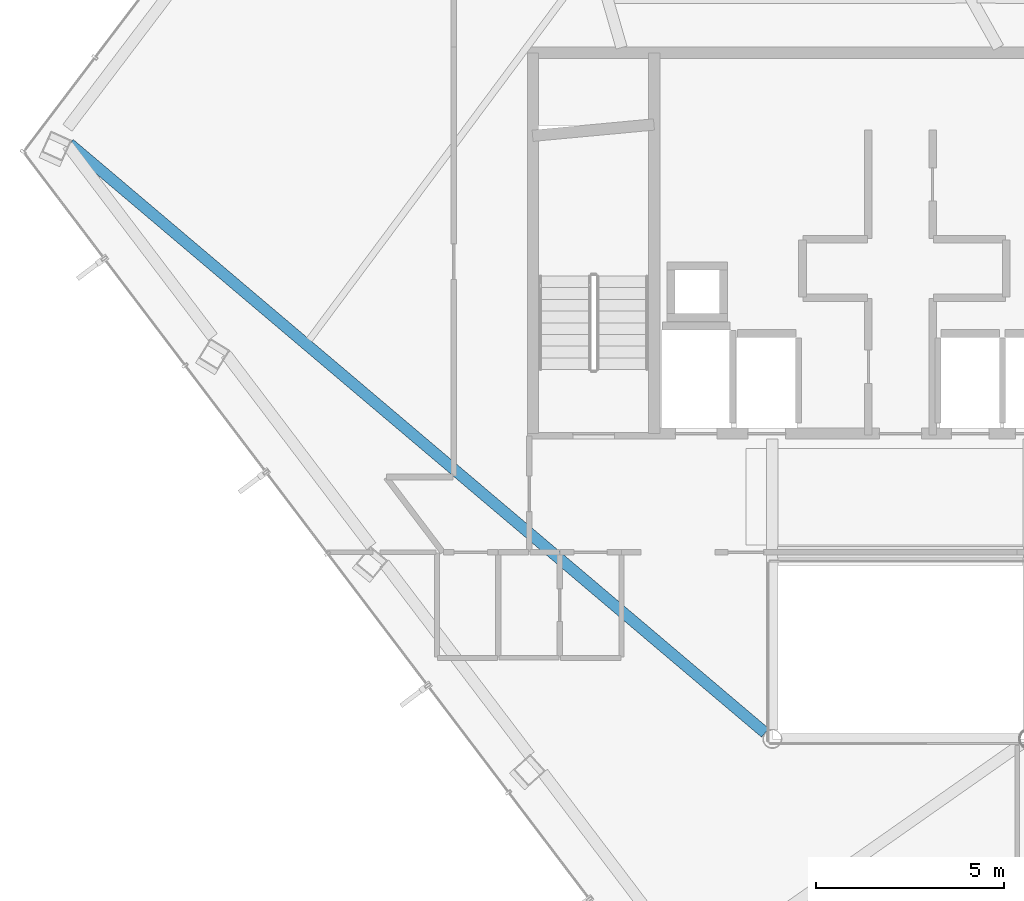
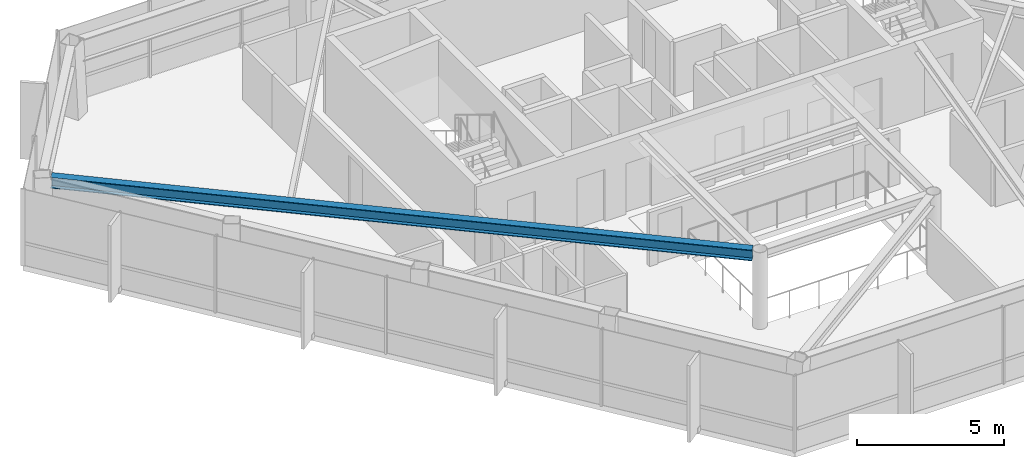
# One storey, part 6 of 27: 1 beam.
"""IFC4 building model written with IfcOpenShell, lengths in metres."""

from ifc_helpers import new_model, si_unit, direction, frame, origin, origin_2d, place, context, subcontext, project, spatial, i_section, extrude, material, material_profile, profile_set, type_object, element, save


model = new_model("IFC4")

# Units and contexts
model_context = context("Model", 3, precision=1e-05, world=origin(), true_north=direction((0.0, 1.0)))
body_context = subcontext(model_context, "Body", "Model", "MODEL_VIEW")
ifc_project = project(units=[si_unit("LENGTHUNIT", "METRE"), si_unit("AREAUNIT", "SQUARE_METRE"), si_unit("VOLUMEUNIT", "CUBIC_METRE"), si_unit("PLANEANGLEUNIT", "RADIAN"), si_unit("MASSUNIT", "GRAM", prefix="KILO")], contexts=[model_context])

# Site, building, storey
site_placement = place(None, origin())
site = spatial("IfcSite", under=ifc_project, at=site_placement, CompositionType="ELEMENT")
building_placement = place(site_placement, origin())
building = spatial("IfcBuilding", under=site, at=building_placement, Name="Zarrinselat Tower", CompositionType="ELEMENT")
storey_placement = place(building_placement, frame((0.0, 0.0, 225.760009765625)))
storey = spatial("IfcBuildingStorey", under=building, at=storey_placement, Name="L56", CompositionType="ELEMENT", Elevation=225.760009765625)

# Beam
ifc_material = material(Name="Steel S355J2", Category="steel")
ifc_material_profile = material_profile(ifc_material, i_section(OverallWidth=0.300048828125, OverallDepth=0.449951171875, WebThickness=0.013916015625, FlangeThickness=0.02587890625, at=origin_2d()), Name="HEB 450")
ifc_profile_set = profile_set([ifc_material_profile], Name="Steel S355J2")
beam_type = type_object("IfcBeamType", Name="BM-HEB450", PredefinedType="BEAM", material=ifc_profile_set)
beam_placement = place(storey_placement, frame((16.357421875, 40.986328125, 2.955078125), z_axis=(0.763145320969, -0.646226909903, 0.0), x_axis=(0.646226909903, 0.763145320969, 0.0)))
element("IfcBeam", 1, at=beam_placement, inside=storey, type_object=beam_type, Name="L56 Radial Primary Girder RG06", PredefinedType="BEAM", context=body_context, shape_type="SweptSolid", body=[
    extrude(i_section(OverallWidth=0.300048828125, OverallDepth=0.449951171875, WebThickness=0.013916015625, FlangeThickness=0.02587890625, at=origin_2d()), origin(), (0.0, 0.0, 1.0), 24.178466796875),
])

save(model, "model.ifc")
